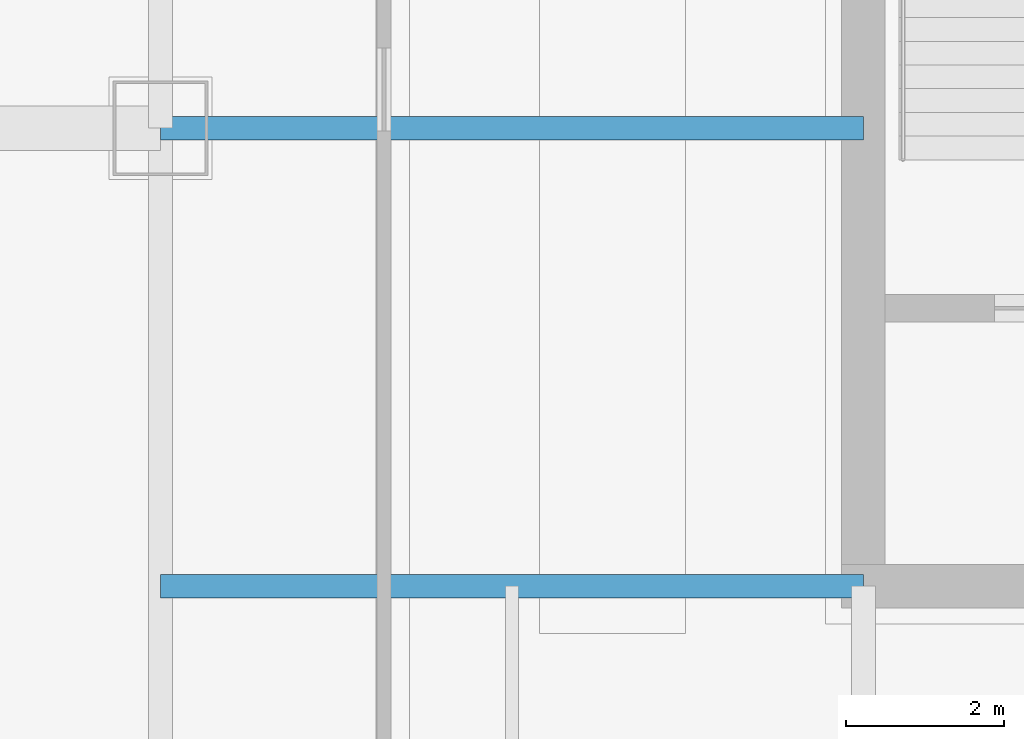
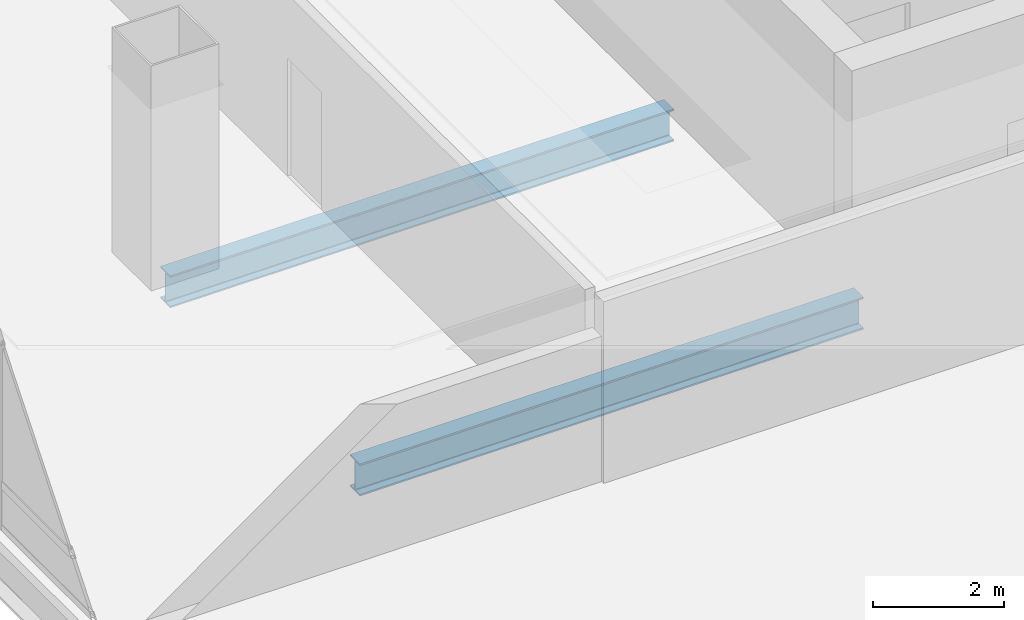
# One storey, part 6 of 42: 2 beams.
"""IFC4 building model written with IfcOpenShell, lengths in metres."""

from ifc_helpers import new_model, si_unit, direction, frame, origin, origin_2d, place, context, subcontext, project, spatial, i_section, extrude, material, material_profile, profile_set, type_object, element, save


model = new_model("IFC4")

# Units and contexts
model_context = context("Model", 3, precision=1e-05, world=origin(), true_north=direction((0.0, 1.0)))
body_context = subcontext(model_context, "Body", "Model", "MODEL_VIEW")
ifc_project = project(units=[si_unit("LENGTHUNIT", "METRE"), si_unit("AREAUNIT", "SQUARE_METRE"), si_unit("VOLUMEUNIT", "CUBIC_METRE"), si_unit("PLANEANGLEUNIT", "RADIAN"), si_unit("MASSUNIT", "GRAM", prefix="KILO")], contexts=[model_context])

# Site, building, storey
site_placement = place(None, origin())
site = spatial("IfcSite", under=ifc_project, at=site_placement, CompositionType="ELEMENT")
building_placement = place(site_placement, origin())
building = spatial("IfcBuilding", under=site, at=building_placement, Name="Punatoya Terracotta Tower", CompositionType="ELEMENT")
storey_placement = place(building_placement, frame((0.0, 0.0, 304.800048828125)))
storey = spatial("IfcBuildingStorey", under=building, at=storey_placement, Name="L72", CompositionType="ELEMENT", Elevation=304.800048828125)

# Beams
ifc_material = material(Name="Steel S355", Category="steel")
ifc_material_profile = material_profile(ifc_material, i_section(OverallWidth=0.300048828125, OverallDepth=0.60009765625, WebThickness=0.015380859375, FlangeThickness=0.030029296875, FilletRadius=0.01806640625, at=origin_2d()))
ifc_profile_set = profile_set([ifc_material_profile], Name="Steel S355")
beam_type = type_object("IfcBeamType", Name="BM-PRI-600", PredefinedType="BEAM", material=ifc_profile_set)
for number, where, z_axis, x_axis, name in (
    (1, (-19.10009765625, -9.199951171875, -0.5), (1.0, 0.0, 0.0), (0.0, 1.0, 0.0), "BM-L72-PR-WS"),
    (2, (-19.10009765625, -3.39990234375, -0.5), (1.0, 0.0, 0.0), (0.0, 1.0, 0.0), "BM-L72-PR-WD"),
):
    element("IfcBeam", number, at=place(storey_placement, frame(where, z_axis=z_axis, x_axis=x_axis)), inside=storey, type_object=beam_type, Name=name, PredefinedType="BEAM", context=body_context, shape_type="SweptSolid", body=[
        extrude(i_section(OverallWidth=0.300048828125, OverallDepth=0.60009765625, WebThickness=0.015380859375, FlangeThickness=0.030029296875, FilletRadius=0.01806640625, at=origin_2d()), origin(), (0.0, 0.0, 1.0), 8.900146484375),
    ])

save(model, "model.ifc")
